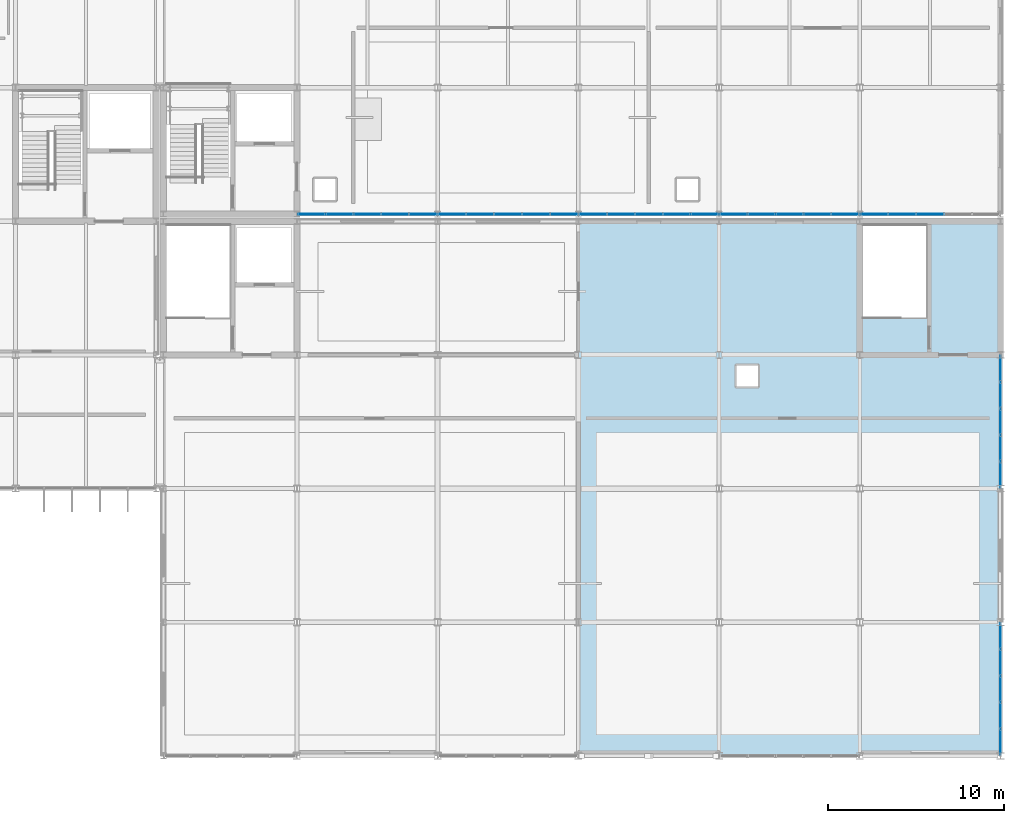
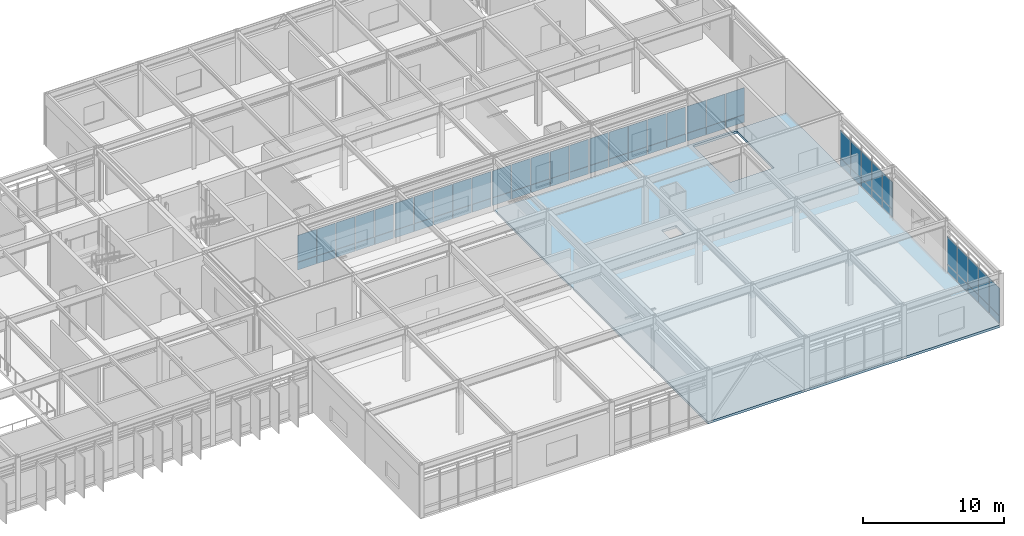
# One storey, part 74 of 104: 66 plates, 1 slab, 7 elements without a shape of their own.
"""IFC4 building model written with IfcOpenShell, lengths in metres."""

from ifc_helpers import new_model, si_unit, direction, frame, origin, origin_2d, place, context, subcontext, project, spatial, polyline, rectangle, outline, extrude, material, layer, layer_set, type_object, element, aggregate, save


model = new_model("IFC4")

# Units and contexts
model_context = context("Model", 3, precision=1e-05, world=origin(), true_north=direction((0.0, 1.0)))
body_context = subcontext(model_context, "Body", "Model", "MODEL_VIEW")
ifc_project = project(units=[si_unit("LENGTHUNIT", "METRE"), si_unit("AREAUNIT", "SQUARE_METRE"), si_unit("VOLUMEUNIT", "CUBIC_METRE"), si_unit("PLANEANGLEUNIT", "RADIAN"), si_unit("MASSUNIT", "GRAM", prefix="KILO")], contexts=[model_context])

# Site, building, storey
site_placement = place(None, origin())
site = spatial("IfcSite", under=ifc_project, at=site_placement, CompositionType="ELEMENT")
building_placement = place(site_placement, origin())
building = spatial("IfcBuilding", under=site, at=building_placement, Name="Zulena Civic Courthouse", CompositionType="ELEMENT")
storey_placement = place(building_placement, frame((0.0, 0.0, 15.60009765625)))
storey = spatial("IfcBuildingStorey", under=building, at=storey_placement, Name="L03", CompositionType="ELEMENT", Elevation=15.60009765625)

# Curtain wall, plates
ifc_material_1 = material(Name="Double-silver low-E laminated solar-control glass", Category="glass")
curtain_wall_type_1 = type_object("IfcCurtainWallType", Name="CW_7528x3690", PredefinedType="USERDEFINED", material=ifc_material_1)
curtain_wall_1_placement = place(storey_placement, origin())
curtain_wall_1 = element("IfcCurtainWall", 1, at=curtain_wall_1_placement, inside=storey, type_object=curtain_wall_type_1, Name="cw:V1:L03:2:1", ObjectType="UNITISED CURTAIN WALL", PredefinedType="USERDEFINED")
ifc_material_2 = material(Name="Ceramic-fritted insulated spandrel glass", Category="glass")
ifc_layer_1 = layer(ifc_material_2, 0.0458984375)
ifc_layer_set_1 = layer_set([ifc_layer_1], Name="Ceramic-fritted insulated spandrel glass")
plate_type_1 = type_object("IfcPlateType", Name="CWPanel_Spandrel_46", PredefinedType="CURTAIN_PANEL", material=ifc_layer_set_1)
plate_1_placement = place(storey_placement, frame((172.0, 22.01123046875, 0.06982421875), z_axis=(0.0, 0.0, 1.0), x_axis=(0.0, -1.0, 0.0)))
plate_1 = element("IfcPlate", 2, at=plate_1_placement, type_object=plate_type_1, Name="cw:V1:L03:2:1:panS:0", PredefinedType="CURTAIN_PANEL", context=body_context, shape_type="SweptSolid", body=[
    extrude(rectangle(XDim=1.4560546875, YDim=0.0458984375, at=origin_2d()), origin(), (0.0, 0.0, 1.0), 0.669921875),
])
plate_2_placement = place(storey_placement, frame((172.0, 20.505615234375, 0.06982421875), z_axis=(0.0, 0.0, 1.0), x_axis=(0.0, -1.0, 0.0)))
plate_2 = element("IfcPlate", 3, at=plate_2_placement, type_object=plate_type_1, Name="cw:V1:L03:2:1:panS:1", PredefinedType="CURTAIN_PANEL", context=body_context, shape_type="SweptSolid", body=[
    extrude(rectangle(XDim=1.4560546875, YDim=0.0458984375, at=origin_2d()), origin(), (0.0, 0.0, 1.0), 0.669921875),
])
plate_3_placement = place(storey_placement, frame((172.0, 19.0, 0.06982421875), z_axis=(0.0, 0.0, 1.0), x_axis=(0.0, -1.0, 0.0)))
plate_3 = element("IfcPlate", 4, at=plate_3_placement, type_object=plate_type_1, Name="cw:V1:L03:2:1:panS:2", PredefinedType="CURTAIN_PANEL", context=body_context, shape_type="SweptSolid", body=[
    extrude(rectangle(XDim=1.4560546875, YDim=0.0458984375, at=origin_2d()), origin(), (0.0, 0.0, 1.0), 0.669921875),
])
plate_4_placement = place(storey_placement, frame((172.0, 17.494384765625, 0.06982421875), z_axis=(0.0, 0.0, 1.0), x_axis=(0.0, -1.0, 0.0)))
plate_4 = element("IfcPlate", 5, at=plate_4_placement, type_object=plate_type_1, Name="cw:V1:L03:2:1:panS:3", PredefinedType="CURTAIN_PANEL", context=body_context, shape_type="SweptSolid", body=[
    extrude(rectangle(XDim=1.4560546875, YDim=0.0458984375, at=origin_2d()), origin(), (0.0, 0.0, 1.0), 0.669921875),
])
plate_5_placement = place(storey_placement, frame((172.0, 15.98876953125, 0.06982421875), z_axis=(0.0, 0.0, 1.0), x_axis=(0.0, -1.0, 0.0)))
plate_5 = element("IfcPlate", 6, at=plate_5_placement, type_object=plate_type_1, Name="cw:V1:L03:2:1:panS:4", PredefinedType="CURTAIN_PANEL", context=body_context, shape_type="SweptSolid", body=[
    extrude(rectangle(XDim=1.4560546875, YDim=0.0458984375, at=origin_2d()), origin(), (0.0, 0.0, 1.0), 0.669921875),
])

curtain_wall_2_placement = place(storey_placement, origin())
curtain_wall_2 = element("IfcCurtainWall", 7, at=curtain_wall_2_placement, inside=storey, type_object=curtain_wall_type_1, Name="cw:V1:L03:2:3", ObjectType="UNITISED CURTAIN WALL", PredefinedType="USERDEFINED")
plate_6_placement = place(storey_placement, frame((172.0, 6.811279296875, 0.06982421875), z_axis=(0.0, 0.0, 1.0), x_axis=(0.0, -1.0, 0.0)))
plate_6 = element("IfcPlate", 8, at=plate_6_placement, type_object=plate_type_1, Name="cw:V1:L03:2:3:panS:0", PredefinedType="CURTAIN_PANEL", context=body_context, shape_type="SweptSolid", body=[
    extrude(rectangle(XDim=1.4560546875, YDim=0.0458984375, at=origin_2d()), origin(), (0.0, 0.0, 1.0), 0.669921875),
])
plate_7_placement = place(storey_placement, frame((172.0, 5.3056640625, 0.06982421875), z_axis=(0.0, 0.0, 1.0), x_axis=(0.0, -1.0, 0.0)))
plate_7 = element("IfcPlate", 9, at=plate_7_placement, type_object=plate_type_1, Name="cw:V1:L03:2:3:panS:1", PredefinedType="CURTAIN_PANEL", context=body_context, shape_type="SweptSolid", body=[
    extrude(rectangle(XDim=1.4560546875, YDim=0.0458984375, at=origin_2d()), origin(), (0.0, 0.0, 1.0), 0.669921875),
])
plate_8_placement = place(storey_placement, frame((172.0, 3.800048828125, 0.06982421875), z_axis=(0.0, 0.0, 1.0), x_axis=(0.0, -1.0, 0.0)))
plate_8 = element("IfcPlate", 10, at=plate_8_placement, type_object=plate_type_1, Name="cw:V1:L03:2:3:panS:2", PredefinedType="CURTAIN_PANEL", context=body_context, shape_type="SweptSolid", body=[
    extrude(rectangle(XDim=1.4560546875, YDim=0.0458984375, at=origin_2d()), origin(), (0.0, 0.0, 1.0), 0.669921875),
])
plate_9_placement = place(storey_placement, frame((172.0, 2.29443359375, 0.06982421875), z_axis=(0.0, 0.0, 1.0), x_axis=(0.0, -1.0, 0.0)))
plate_9 = element("IfcPlate", 11, at=plate_9_placement, type_object=plate_type_1, Name="cw:V1:L03:2:3:panS:3", PredefinedType="CURTAIN_PANEL", context=body_context, shape_type="SweptSolid", body=[
    extrude(rectangle(XDim=1.4560546875, YDim=0.0458984375, at=origin_2d()), origin(), (0.0, 0.0, 1.0), 0.669921875),
])
plate_10_placement = place(storey_placement, frame((172.0, 0.788818359375, 0.06982421875), z_axis=(0.0, 0.0, 1.0), x_axis=(0.0, -1.0, 0.0)))
plate_10 = element("IfcPlate", 12, at=plate_10_placement, type_object=plate_type_1, Name="cw:V1:L03:2:3:panS:4", PredefinedType="CURTAIN_PANEL", context=body_context, shape_type="SweptSolid", body=[
    extrude(rectangle(XDim=1.4560546875, YDim=0.0458984375, at=origin_2d()), origin(), (0.0, 0.0, 1.0), 0.669921875),
])

curtain_wall_type_2 = type_object("IfcCurtainWallType", Name="CW_7928x3635", PredefinedType="USERDEFINED", material=ifc_material_1)
curtain_wall_3_placement = place(storey_placement, origin())
curtain_wall_3 = element("IfcCurtainWall", 13, at=curtain_wall_3_placement, inside=storey, type_object=curtain_wall_type_2, Name="cw:V3:L03:3:0", ObjectType="UNITISED CURTAIN WALL", PredefinedType="USERDEFINED")
plate_11_placement = place(storey_placement, frame((168.0, 30.800048828125, 0.06982421875), z_axis=(0.0, 0.0, 1.0), x_axis=(-1.0, 0.0, 0.0)))
plate_11 = element("IfcPlate", 14, at=plate_11_placement, type_object=plate_type_1, Name="cw:V3:L03:3:0:panS:2", PredefinedType="CURTAIN_PANEL", context=body_context, shape_type="SweptSolid", body=[
    extrude(rectangle(XDim=1.535888671875, YDim=0.0458984375, at=origin_2d()), origin(), (0.0, 0.0, 1.0), 0.669921875),
])
plate_12_placement = place(storey_placement, frame((166.414306640625, 30.800048828125, 0.06982421875), z_axis=(0.0, 0.0, 1.0), x_axis=(-1.0, 0.0, 0.0)))
plate_12 = element("IfcPlate", 15, at=plate_12_placement, type_object=plate_type_1, Name="cw:V3:L03:3:0:panS:3", PredefinedType="CURTAIN_PANEL", context=body_context, shape_type="SweptSolid", body=[
    extrude(rectangle(XDim=1.535888671875, YDim=0.0458984375, at=origin_2d()), origin(), (0.0, 0.0, 1.0), 0.669921875),
])
plate_13_placement = place(storey_placement, frame((164.828857421875, 30.800048828125, 0.06982421875), z_axis=(0.0, 0.0, 1.0), x_axis=(-1.0, 0.0, 0.0)))
plate_13 = element("IfcPlate", 16, at=plate_13_placement, type_object=plate_type_1, Name="cw:V3:L03:3:0:panS:4", PredefinedType="CURTAIN_PANEL", context=body_context, shape_type="SweptSolid", body=[
    extrude(rectangle(XDim=1.535888671875, YDim=0.0458984375, at=origin_2d()), origin(), (0.0, 0.0, 1.0), 0.669921875),
])

curtain_wall_4_placement = place(storey_placement, origin())
curtain_wall_4 = element("IfcCurtainWall", 17, at=curtain_wall_4_placement, inside=storey, type_object=curtain_wall_type_2, Name="cw:V3:L03:3:1", ObjectType="UNITISED CURTAIN WALL", PredefinedType="USERDEFINED")
plate_14_placement = place(storey_placement, frame((163.171142578125, 30.800048828125, 0.06982421875), z_axis=(0.0, 0.0, 1.0), x_axis=(-1.0, 0.0, 0.0)))
plate_14 = element("IfcPlate", 18, at=plate_14_placement, type_object=plate_type_1, Name="cw:V3:L03:3:1:panS:0", PredefinedType="CURTAIN_PANEL", context=body_context, shape_type="SweptSolid", body=[
    extrude(rectangle(XDim=1.535888671875, YDim=0.0458984375, at=origin_2d()), origin(), (0.0, 0.0, 1.0), 0.669921875),
])
plate_15_placement = place(storey_placement, frame((161.585693359375, 30.800048828125, 0.06982421875), z_axis=(0.0, 0.0, 1.0), x_axis=(-1.0, 0.0, 0.0)))
plate_15 = element("IfcPlate", 19, at=plate_15_placement, type_object=plate_type_1, Name="cw:V3:L03:3:1:panS:1", PredefinedType="CURTAIN_PANEL", context=body_context, shape_type="SweptSolid", body=[
    extrude(rectangle(XDim=1.535888671875, YDim=0.0458984375, at=origin_2d()), origin(), (0.0, 0.0, 1.0), 0.669921875),
])
plate_16_placement = place(storey_placement, frame((160.0, 30.800048828125, 0.06982421875), z_axis=(0.0, 0.0, 1.0), x_axis=(-1.0, 0.0, 0.0)))
plate_16 = element("IfcPlate", 20, at=plate_16_placement, type_object=plate_type_1, Name="cw:V3:L03:3:1:panS:2", PredefinedType="CURTAIN_PANEL", context=body_context, shape_type="SweptSolid", body=[
    extrude(rectangle(XDim=1.535888671875, YDim=0.0458984375, at=origin_2d()), origin(), (0.0, 0.0, 1.0), 0.669921875),
])
plate_17_placement = place(storey_placement, frame((158.414306640625, 30.800048828125, 0.06982421875), z_axis=(0.0, 0.0, 1.0), x_axis=(-1.0, 0.0, 0.0)))
plate_17 = element("IfcPlate", 21, at=plate_17_placement, type_object=plate_type_1, Name="cw:V3:L03:3:1:panS:3", PredefinedType="CURTAIN_PANEL", context=body_context, shape_type="SweptSolid", body=[
    extrude(rectangle(XDim=1.535888671875, YDim=0.0458984375, at=origin_2d()), origin(), (0.0, 0.0, 1.0), 0.669921875),
])
plate_18_placement = place(storey_placement, frame((156.828857421875, 30.800048828125, 0.06982421875), z_axis=(0.0, 0.0, 1.0), x_axis=(-1.0, 0.0, 0.0)))
plate_18 = element("IfcPlate", 22, at=plate_18_placement, type_object=plate_type_1, Name="cw:V3:L03:3:1:panS:4", PredefinedType="CURTAIN_PANEL", context=body_context, shape_type="SweptSolid", body=[
    extrude(rectangle(XDim=1.535888671875, YDim=0.0458984375, at=origin_2d()), origin(), (0.0, 0.0, 1.0), 0.669921875),
])

curtain_wall_5_placement = place(storey_placement, origin())
curtain_wall_5 = element("IfcCurtainWall", 23, at=curtain_wall_5_placement, inside=storey, type_object=curtain_wall_type_2, Name="cw:V3:L03:3:2", ObjectType="UNITISED CURTAIN WALL", PredefinedType="USERDEFINED")
plate_19_placement = place(storey_placement, frame((155.171142578125, 30.800048828125, 0.06982421875), z_axis=(0.0, 0.0, 1.0), x_axis=(-1.0, 0.0, 0.0)))
plate_19 = element("IfcPlate", 24, at=plate_19_placement, type_object=plate_type_1, Name="cw:V3:L03:3:2:panS:0", PredefinedType="CURTAIN_PANEL", context=body_context, shape_type="SweptSolid", body=[
    extrude(rectangle(XDim=1.535888671875, YDim=0.0458984375, at=origin_2d()), origin(), (0.0, 0.0, 1.0), 0.669921875),
])
plate_20_placement = place(storey_placement, frame((153.585693359375, 30.800048828125, 0.06982421875), z_axis=(0.0, 0.0, 1.0), x_axis=(-1.0, 0.0, 0.0)))
plate_20 = element("IfcPlate", 25, at=plate_20_placement, type_object=plate_type_1, Name="cw:V3:L03:3:2:panS:1", PredefinedType="CURTAIN_PANEL", context=body_context, shape_type="SweptSolid", body=[
    extrude(rectangle(XDim=1.535888671875, YDim=0.0458984375, at=origin_2d()), origin(), (0.0, 0.0, 1.0), 0.669921875),
])
plate_21_placement = place(storey_placement, frame((152.0, 30.800048828125, 0.06982421875), z_axis=(0.0, 0.0, 1.0), x_axis=(-1.0, 0.0, 0.0)))
plate_21 = element("IfcPlate", 26, at=plate_21_placement, type_object=plate_type_1, Name="cw:V3:L03:3:2:panS:2", PredefinedType="CURTAIN_PANEL", context=body_context, shape_type="SweptSolid", body=[
    extrude(rectangle(XDim=1.535888671875, YDim=0.0458984375, at=origin_2d()), origin(), (0.0, 0.0, 1.0), 0.669921875),
])
plate_22_placement = place(storey_placement, frame((150.414306640625, 30.800048828125, 0.06982421875), z_axis=(0.0, 0.0, 1.0), x_axis=(-1.0, 0.0, 0.0)))
plate_22 = element("IfcPlate", 27, at=plate_22_placement, type_object=plate_type_1, Name="cw:V3:L03:3:2:panS:3", PredefinedType="CURTAIN_PANEL", context=body_context, shape_type="SweptSolid", body=[
    extrude(rectangle(XDim=1.535888671875, YDim=0.0458984375, at=origin_2d()), origin(), (0.0, 0.0, 1.0), 0.669921875),
])
plate_23_placement = place(storey_placement, frame((148.828857421875, 30.800048828125, 0.06982421875), z_axis=(0.0, 0.0, 1.0), x_axis=(-1.0, 0.0, 0.0)))
plate_23 = element("IfcPlate", 28, at=plate_23_placement, type_object=plate_type_1, Name="cw:V3:L03:3:2:panS:4", PredefinedType="CURTAIN_PANEL", context=body_context, shape_type="SweptSolid", body=[
    extrude(rectangle(XDim=1.535888671875, YDim=0.0458984375, at=origin_2d()), origin(), (0.0, 0.0, 1.0), 0.669921875),
])

curtain_wall_6_placement = place(storey_placement, origin())
curtain_wall_6 = element("IfcCurtainWall", 29, at=curtain_wall_6_placement, inside=storey, type_object=curtain_wall_type_2, Name="cw:V3:L03:3:3", ObjectType="UNITISED CURTAIN WALL", PredefinedType="USERDEFINED")
plate_24_placement = place(storey_placement, frame((147.171142578125, 30.800048828125, 0.06982421875), z_axis=(0.0, 0.0, 1.0), x_axis=(-1.0, 0.0, 0.0)))
plate_24 = element("IfcPlate", 30, at=plate_24_placement, type_object=plate_type_1, Name="cw:V3:L03:3:3:panS:0", PredefinedType="CURTAIN_PANEL", context=body_context, shape_type="SweptSolid", body=[
    extrude(rectangle(XDim=1.535888671875, YDim=0.0458984375, at=origin_2d()), origin(), (0.0, 0.0, 1.0), 0.669921875),
])
plate_25_placement = place(storey_placement, frame((145.585693359375, 30.800048828125, 0.06982421875), z_axis=(0.0, 0.0, 1.0), x_axis=(-1.0, 0.0, 0.0)))
plate_25 = element("IfcPlate", 31, at=plate_25_placement, type_object=plate_type_1, Name="cw:V3:L03:3:3:panS:1", PredefinedType="CURTAIN_PANEL", context=body_context, shape_type="SweptSolid", body=[
    extrude(rectangle(XDim=1.535888671875, YDim=0.0458984375, at=origin_2d()), origin(), (0.0, 0.0, 1.0), 0.669921875),
])
plate_26_placement = place(storey_placement, frame((144.0, 30.800048828125, 0.06982421875), z_axis=(0.0, 0.0, 1.0), x_axis=(-1.0, 0.0, 0.0)))
plate_26 = element("IfcPlate", 32, at=plate_26_placement, type_object=plate_type_1, Name="cw:V3:L03:3:3:panS:2", PredefinedType="CURTAIN_PANEL", context=body_context, shape_type="SweptSolid", body=[
    extrude(rectangle(XDim=1.535888671875, YDim=0.0458984375, at=origin_2d()), origin(), (0.0, 0.0, 1.0), 0.669921875),
])
plate_27_placement = place(storey_placement, frame((142.414306640625, 30.800048828125, 0.06982421875), z_axis=(0.0, 0.0, 1.0), x_axis=(-1.0, 0.0, 0.0)))
plate_27 = element("IfcPlate", 33, at=plate_27_placement, type_object=plate_type_1, Name="cw:V3:L03:3:3:panS:3", PredefinedType="CURTAIN_PANEL", context=body_context, shape_type="SweptSolid", body=[
    extrude(rectangle(XDim=1.535888671875, YDim=0.0458984375, at=origin_2d()), origin(), (0.0, 0.0, 1.0), 0.669921875),
])
plate_28_placement = place(storey_placement, frame((140.828857421875, 30.800048828125, 0.06982421875), z_axis=(0.0, 0.0, 1.0), x_axis=(-1.0, 0.0, 0.0)))
plate_28 = element("IfcPlate", 34, at=plate_28_placement, type_object=plate_type_1, Name="cw:V3:L03:3:3:panS:4", PredefinedType="CURTAIN_PANEL", context=body_context, shape_type="SweptSolid", body=[
    extrude(rectangle(XDim=1.535888671875, YDim=0.0458984375, at=origin_2d()), origin(), (0.0, 0.0, 1.0), 0.669921875),
])

curtain_wall_7_placement = place(storey_placement, origin())
curtain_wall_7 = element("IfcCurtainWall", 35, at=curtain_wall_7_placement, inside=storey, type_object=curtain_wall_type_2, Name="cw:V3:L03:3:4", ObjectType="UNITISED CURTAIN WALL", PredefinedType="USERDEFINED")
plate_29_placement = place(storey_placement, frame((139.171142578125, 30.800048828125, 0.06982421875), z_axis=(0.0, 0.0, 1.0), x_axis=(-1.0, 0.0, 0.0)))
plate_29 = element("IfcPlate", 36, at=plate_29_placement, type_object=plate_type_1, Name="cw:V3:L03:3:4:panS:0", PredefinedType="CURTAIN_PANEL", context=body_context, shape_type="SweptSolid", body=[
    extrude(rectangle(XDim=1.535888671875, YDim=0.0458984375, at=origin_2d()), origin(), (0.0, 0.0, 1.0), 0.669921875),
])
plate_30_placement = place(storey_placement, frame((137.585693359375, 30.800048828125, 0.06982421875), z_axis=(0.0, 0.0, 1.0), x_axis=(-1.0, 0.0, 0.0)))
plate_30 = element("IfcPlate", 37, at=plate_30_placement, type_object=plate_type_1, Name="cw:V3:L03:3:4:panS:1", PredefinedType="CURTAIN_PANEL", context=body_context, shape_type="SweptSolid", body=[
    extrude(rectangle(XDim=1.535888671875, YDim=0.0458984375, at=origin_2d()), origin(), (0.0, 0.0, 1.0), 0.669921875),
])
plate_31_placement = place(storey_placement, frame((136.0, 30.800048828125, 0.06982421875), z_axis=(0.0, 0.0, 1.0), x_axis=(-1.0, 0.0, 0.0)))
plate_31 = element("IfcPlate", 38, at=plate_31_placement, type_object=plate_type_1, Name="cw:V3:L03:3:4:panS:2", PredefinedType="CURTAIN_PANEL", context=body_context, shape_type="SweptSolid", body=[
    extrude(rectangle(XDim=1.535888671875, YDim=0.0458984375, at=origin_2d()), origin(), (0.0, 0.0, 1.0), 0.669921875),
])
plate_32_placement = place(storey_placement, frame((134.414306640625, 30.800048828125, 0.06982421875), z_axis=(0.0, 0.0, 1.0), x_axis=(-1.0, 0.0, 0.0)))
plate_32 = element("IfcPlate", 39, at=plate_32_placement, type_object=plate_type_1, Name="cw:V3:L03:3:4:panS:3", PredefinedType="CURTAIN_PANEL", context=body_context, shape_type="SweptSolid", body=[
    extrude(rectangle(XDim=1.535888671875, YDim=0.0458984375, at=origin_2d()), origin(), (0.0, 0.0, 1.0), 0.669921875),
])
plate_33_placement = place(storey_placement, frame((132.828857421875, 30.800048828125, 0.06982421875), z_axis=(0.0, 0.0, 1.0), x_axis=(-1.0, 0.0, 0.0)))
plate_33 = element("IfcPlate", 40, at=plate_33_placement, type_object=plate_type_1, Name="cw:V3:L03:3:4:panS:4", PredefinedType="CURTAIN_PANEL", context=body_context, shape_type="SweptSolid", body=[
    extrude(rectangle(XDim=1.535888671875, YDim=0.0458984375, at=origin_2d()), origin(), (0.0, 0.0, 1.0), 0.669921875),
])

# Plate
ifc_layer_2 = layer(ifc_material_1, 0.035888671875)
ifc_layer_set_2 = layer_set([ifc_layer_2], Name="Double-silver low-E laminated solar-control glass")
plate_type_2 = type_object("IfcPlateType", Name="CWPanel_Vision_36", PredefinedType="CURTAIN_PANEL", material=ifc_layer_set_2)
plate_34_placement = place(storey_placement, frame((172.0, 22.01123046875, 0.759765625), z_axis=(0.0, 0.0, 1.0), x_axis=(0.0, -1.0, 0.0)))
plate_34 = element("IfcPlate", 41, at=plate_34_placement, type_object=plate_type_2, Name="cw:V1:L03:2:1:panV:0", PredefinedType="CURTAIN_PANEL", context=body_context, shape_type="SweptSolid", body=[
    extrude(rectangle(XDim=1.4560546875, YDim=0.035888671875, at=origin_2d()), origin(), (0.0, 0.0, 1.0), 2.3701171875),
])

plate_35_placement = place(storey_placement, frame((172.0, 20.505615234375, 0.759765625), z_axis=(0.0, 0.0, 1.0), x_axis=(0.0, -1.0, 0.0)))
plate_35 = element("IfcPlate", 42, at=plate_35_placement, type_object=plate_type_2, Name="cw:V1:L03:2:1:panV:1", PredefinedType="CURTAIN_PANEL", context=body_context, shape_type="SweptSolid", body=[
    extrude(rectangle(XDim=1.4560546875, YDim=0.035888671875, at=origin_2d()), origin(), (0.0, 0.0, 1.0), 2.3701171875),
])

plate_36_placement = place(storey_placement, frame((172.0, 19.0, 0.759765625), z_axis=(0.0, 0.0, 1.0), x_axis=(0.0, -1.0, 0.0)))
plate_36 = element("IfcPlate", 43, at=plate_36_placement, type_object=plate_type_2, Name="cw:V1:L03:2:1:panV:2", PredefinedType="CURTAIN_PANEL", context=body_context, shape_type="SweptSolid", body=[
    extrude(rectangle(XDim=1.4560546875, YDim=0.035888671875, at=origin_2d()), origin(), (0.0, 0.0, 1.0), 2.3701171875),
])

plate_37_placement = place(storey_placement, frame((172.0, 17.494384765625, 0.759765625), z_axis=(0.0, 0.0, 1.0), x_axis=(0.0, -1.0, 0.0)))
plate_37 = element("IfcPlate", 44, at=plate_37_placement, type_object=plate_type_2, Name="cw:V1:L03:2:1:panV:3", PredefinedType="CURTAIN_PANEL", context=body_context, shape_type="SweptSolid", body=[
    extrude(rectangle(XDim=1.4560546875, YDim=0.035888671875, at=origin_2d()), origin(), (0.0, 0.0, 1.0), 2.3701171875),
])

plate_38_placement = place(storey_placement, frame((172.0, 15.98876953125, 0.759765625), z_axis=(0.0, 0.0, 1.0), x_axis=(0.0, -1.0, 0.0)))
plate_38 = element("IfcPlate", 45, at=plate_38_placement, type_object=plate_type_2, Name="cw:V1:L03:2:1:panV:4", PredefinedType="CURTAIN_PANEL", context=body_context, shape_type="SweptSolid", body=[
    extrude(rectangle(XDim=1.4560546875, YDim=0.035888671875, at=origin_2d()), origin(), (0.0, 0.0, 1.0), 2.3701171875),
])

aggregate(curtain_wall_1, [plate_34, plate_1, plate_35, plate_2, plate_36, plate_3, plate_37, plate_4, plate_38, plate_5])

plate_39_placement = place(storey_placement, frame((172.0, 6.811279296875, 0.759765625), z_axis=(0.0, 0.0, 1.0), x_axis=(0.0, -1.0, 0.0)))
plate_39 = element("IfcPlate", 46, at=plate_39_placement, type_object=plate_type_2, Name="cw:V1:L03:2:3:panV:0", PredefinedType="CURTAIN_PANEL", context=body_context, shape_type="SweptSolid", body=[
    extrude(rectangle(XDim=1.4560546875, YDim=0.035888671875, at=origin_2d()), origin(), (0.0, 0.0, 1.0), 2.3701171875),
])

plate_40_placement = place(storey_placement, frame((172.0, 5.3056640625, 0.759765625), z_axis=(0.0, 0.0, 1.0), x_axis=(0.0, -1.0, 0.0)))
plate_40 = element("IfcPlate", 47, at=plate_40_placement, type_object=plate_type_2, Name="cw:V1:L03:2:3:panV:1", PredefinedType="CURTAIN_PANEL", context=body_context, shape_type="SweptSolid", body=[
    extrude(rectangle(XDim=1.4560546875, YDim=0.035888671875, at=origin_2d()), origin(), (0.0, 0.0, 1.0), 2.3701171875),
])

plate_41_placement = place(storey_placement, frame((172.0, 3.800048828125, 0.759765625), z_axis=(0.0, 0.0, 1.0), x_axis=(0.0, -1.0, 0.0)))
plate_41 = element("IfcPlate", 48, at=plate_41_placement, type_object=plate_type_2, Name="cw:V1:L03:2:3:panV:2", PredefinedType="CURTAIN_PANEL", context=body_context, shape_type="SweptSolid", body=[
    extrude(rectangle(XDim=1.4560546875, YDim=0.035888671875, at=origin_2d()), origin(), (0.0, 0.0, 1.0), 2.3701171875),
])

plate_42_placement = place(storey_placement, frame((172.0, 2.29443359375, 0.759765625), z_axis=(0.0, 0.0, 1.0), x_axis=(0.0, -1.0, 0.0)))
plate_42 = element("IfcPlate", 49, at=plate_42_placement, type_object=plate_type_2, Name="cw:V1:L03:2:3:panV:3", PredefinedType="CURTAIN_PANEL", context=body_context, shape_type="SweptSolid", body=[
    extrude(rectangle(XDim=1.4560546875, YDim=0.035888671875, at=origin_2d()), origin(), (0.0, 0.0, 1.0), 2.3701171875),
])

plate_43_placement = place(storey_placement, frame((172.0, 0.788818359375, 0.759765625), z_axis=(0.0, 0.0, 1.0), x_axis=(0.0, -1.0, 0.0)))
plate_43 = element("IfcPlate", 50, at=plate_43_placement, type_object=plate_type_2, Name="cw:V1:L03:2:3:panV:4", PredefinedType="CURTAIN_PANEL", context=body_context, shape_type="SweptSolid", body=[
    extrude(rectangle(XDim=1.4560546875, YDim=0.035888671875, at=origin_2d()), origin(), (0.0, 0.0, 1.0), 2.3701171875),
])

aggregate(curtain_wall_2, [plate_39, plate_6, plate_40, plate_7, plate_41, plate_8, plate_42, plate_9, plate_43, plate_10])

plate_44_placement = place(storey_placement, frame((168.0, 30.800048828125, 0.760009765625), z_axis=(0.0, 0.0, 1.0), x_axis=(-1.0, 0.0, 0.0)))
plate_44 = element("IfcPlate", 51, at=plate_44_placement, type_object=plate_type_2, Name="cw:V3:L03:3:0:panV:2", PredefinedType="CURTAIN_PANEL", context=body_context, shape_type="SweptSolid", body=[
    extrude(rectangle(XDim=1.535888671875, YDim=0.035888671875, at=origin_2d()), origin(), (0.0, 0.0, 1.0), 2.31494140625),
])

plate_45_placement = place(storey_placement, frame((166.414306640625, 30.800048828125, 0.760009765625), z_axis=(0.0, 0.0, 1.0), x_axis=(-1.0, 0.0, 0.0)))
plate_45 = element("IfcPlate", 52, at=plate_45_placement, type_object=plate_type_2, Name="cw:V3:L03:3:0:panV:3", PredefinedType="CURTAIN_PANEL", context=body_context, shape_type="SweptSolid", body=[
    extrude(rectangle(XDim=1.535888671875, YDim=0.035888671875, at=origin_2d()), origin(), (0.0, 0.0, 1.0), 2.31494140625),
])

plate_46_placement = place(storey_placement, frame((164.828857421875, 30.800048828125, 0.760009765625), z_axis=(0.0, 0.0, 1.0), x_axis=(-1.0, 0.0, 0.0)))
plate_46 = element("IfcPlate", 53, at=plate_46_placement, type_object=plate_type_2, Name="cw:V3:L03:3:0:panV:4", PredefinedType="CURTAIN_PANEL", context=body_context, shape_type="SweptSolid", body=[
    extrude(rectangle(XDim=1.535888671875, YDim=0.035888671875, at=origin_2d()), origin(), (0.0, 0.0, 1.0), 2.31494140625),
])

aggregate(curtain_wall_3, [plate_44, plate_11, plate_45, plate_12, plate_46, plate_13])

plate_47_placement = place(storey_placement, frame((163.171142578125, 30.800048828125, 0.760009765625), z_axis=(0.0, 0.0, 1.0), x_axis=(-1.0, 0.0, 0.0)))
plate_47 = element("IfcPlate", 54, at=plate_47_placement, type_object=plate_type_2, Name="cw:V3:L03:3:1:panV:0", PredefinedType="CURTAIN_PANEL", context=body_context, shape_type="SweptSolid", body=[
    extrude(rectangle(XDim=1.535888671875, YDim=0.035888671875, at=origin_2d()), origin(), (0.0, 0.0, 1.0), 2.31494140625),
])

plate_48_placement = place(storey_placement, frame((161.585693359375, 30.800048828125, 0.760009765625), z_axis=(0.0, 0.0, 1.0), x_axis=(-1.0, 0.0, 0.0)))
plate_48 = element("IfcPlate", 55, at=plate_48_placement, type_object=plate_type_2, Name="cw:V3:L03:3:1:panV:1", PredefinedType="CURTAIN_PANEL", context=body_context, shape_type="SweptSolid", body=[
    extrude(rectangle(XDim=1.535888671875, YDim=0.035888671875, at=origin_2d()), origin(), (0.0, 0.0, 1.0), 2.31494140625),
])

plate_49_placement = place(storey_placement, frame((160.0, 30.800048828125, 0.760009765625), z_axis=(0.0, 0.0, 1.0), x_axis=(-1.0, 0.0, 0.0)))
plate_49 = element("IfcPlate", 56, at=plate_49_placement, type_object=plate_type_2, Name="cw:V3:L03:3:1:panV:2", PredefinedType="CURTAIN_PANEL", context=body_context, shape_type="SweptSolid", body=[
    extrude(rectangle(XDim=1.535888671875, YDim=0.035888671875, at=origin_2d()), origin(), (0.0, 0.0, 1.0), 2.31494140625),
])

plate_50_placement = place(storey_placement, frame((158.414306640625, 30.800048828125, 0.760009765625), z_axis=(0.0, 0.0, 1.0), x_axis=(-1.0, 0.0, 0.0)))
plate_50 = element("IfcPlate", 57, at=plate_50_placement, type_object=plate_type_2, Name="cw:V3:L03:3:1:panV:3", PredefinedType="CURTAIN_PANEL", context=body_context, shape_type="SweptSolid", body=[
    extrude(rectangle(XDim=1.535888671875, YDim=0.035888671875, at=origin_2d()), origin(), (0.0, 0.0, 1.0), 2.31494140625),
])

plate_51_placement = place(storey_placement, frame((156.828857421875, 30.800048828125, 0.760009765625), z_axis=(0.0, 0.0, 1.0), x_axis=(-1.0, 0.0, 0.0)))
plate_51 = element("IfcPlate", 58, at=plate_51_placement, type_object=plate_type_2, Name="cw:V3:L03:3:1:panV:4", PredefinedType="CURTAIN_PANEL", context=body_context, shape_type="SweptSolid", body=[
    extrude(rectangle(XDim=1.535888671875, YDim=0.035888671875, at=origin_2d()), origin(), (0.0, 0.0, 1.0), 2.31494140625),
])

aggregate(curtain_wall_4, [plate_47, plate_14, plate_48, plate_15, plate_49, plate_16, plate_50, plate_17, plate_51, plate_18])

plate_52_placement = place(storey_placement, frame((155.171142578125, 30.800048828125, 0.760009765625), z_axis=(0.0, 0.0, 1.0), x_axis=(-1.0, 0.0, 0.0)))
plate_52 = element("IfcPlate", 59, at=plate_52_placement, type_object=plate_type_2, Name="cw:V3:L03:3:2:panV:0", PredefinedType="CURTAIN_PANEL", context=body_context, shape_type="SweptSolid", body=[
    extrude(rectangle(XDim=1.535888671875, YDim=0.035888671875, at=origin_2d()), origin(), (0.0, 0.0, 1.0), 2.31494140625),
])

plate_53_placement = place(storey_placement, frame((153.585693359375, 30.800048828125, 0.760009765625), z_axis=(0.0, 0.0, 1.0), x_axis=(-1.0, 0.0, 0.0)))
plate_53 = element("IfcPlate", 60, at=plate_53_placement, type_object=plate_type_2, Name="cw:V3:L03:3:2:panV:1", PredefinedType="CURTAIN_PANEL", context=body_context, shape_type="SweptSolid", body=[
    extrude(rectangle(XDim=1.535888671875, YDim=0.035888671875, at=origin_2d()), origin(), (0.0, 0.0, 1.0), 2.31494140625),
])

plate_54_placement = place(storey_placement, frame((152.0, 30.800048828125, 0.760009765625), z_axis=(0.0, 0.0, 1.0), x_axis=(-1.0, 0.0, 0.0)))
plate_54 = element("IfcPlate", 61, at=plate_54_placement, type_object=plate_type_2, Name="cw:V3:L03:3:2:panV:2", PredefinedType="CURTAIN_PANEL", context=body_context, shape_type="SweptSolid", body=[
    extrude(rectangle(XDim=1.535888671875, YDim=0.035888671875, at=origin_2d()), origin(), (0.0, 0.0, 1.0), 2.31494140625),
])

plate_55_placement = place(storey_placement, frame((150.414306640625, 30.800048828125, 0.760009765625), z_axis=(0.0, 0.0, 1.0), x_axis=(-1.0, 0.0, 0.0)))
plate_55 = element("IfcPlate", 62, at=plate_55_placement, type_object=plate_type_2, Name="cw:V3:L03:3:2:panV:3", PredefinedType="CURTAIN_PANEL", context=body_context, shape_type="SweptSolid", body=[
    extrude(rectangle(XDim=1.535888671875, YDim=0.035888671875, at=origin_2d()), origin(), (0.0, 0.0, 1.0), 2.31494140625),
])

plate_56_placement = place(storey_placement, frame((148.828857421875, 30.800048828125, 0.760009765625), z_axis=(0.0, 0.0, 1.0), x_axis=(-1.0, 0.0, 0.0)))
plate_56 = element("IfcPlate", 63, at=plate_56_placement, type_object=plate_type_2, Name="cw:V3:L03:3:2:panV:4", PredefinedType="CURTAIN_PANEL", context=body_context, shape_type="SweptSolid", body=[
    extrude(rectangle(XDim=1.535888671875, YDim=0.035888671875, at=origin_2d()), origin(), (0.0, 0.0, 1.0), 2.31494140625),
])

aggregate(curtain_wall_5, [plate_52, plate_19, plate_53, plate_20, plate_54, plate_21, plate_55, plate_22, plate_56, plate_23])

plate_57_placement = place(storey_placement, frame((147.171142578125, 30.800048828125, 0.760009765625), z_axis=(0.0, 0.0, 1.0), x_axis=(-1.0, 0.0, 0.0)))
plate_57 = element("IfcPlate", 64, at=plate_57_placement, type_object=plate_type_2, Name="cw:V3:L03:3:3:panV:0", PredefinedType="CURTAIN_PANEL", context=body_context, shape_type="SweptSolid", body=[
    extrude(rectangle(XDim=1.535888671875, YDim=0.035888671875, at=origin_2d()), origin(), (0.0, 0.0, 1.0), 2.31494140625),
])

plate_58_placement = place(storey_placement, frame((145.585693359375, 30.800048828125, 0.760009765625), z_axis=(0.0, 0.0, 1.0), x_axis=(-1.0, 0.0, 0.0)))
plate_58 = element("IfcPlate", 65, at=plate_58_placement, type_object=plate_type_2, Name="cw:V3:L03:3:3:panV:1", PredefinedType="CURTAIN_PANEL", context=body_context, shape_type="SweptSolid", body=[
    extrude(rectangle(XDim=1.535888671875, YDim=0.035888671875, at=origin_2d()), origin(), (0.0, 0.0, 1.0), 2.31494140625),
])

plate_59_placement = place(storey_placement, frame((144.0, 30.800048828125, 0.760009765625), z_axis=(0.0, 0.0, 1.0), x_axis=(-1.0, 0.0, 0.0)))
plate_59 = element("IfcPlate", 66, at=plate_59_placement, type_object=plate_type_2, Name="cw:V3:L03:3:3:panV:2", PredefinedType="CURTAIN_PANEL", context=body_context, shape_type="SweptSolid", body=[
    extrude(rectangle(XDim=1.535888671875, YDim=0.035888671875, at=origin_2d()), origin(), (0.0, 0.0, 1.0), 2.31494140625),
])

plate_60_placement = place(storey_placement, frame((142.414306640625, 30.800048828125, 0.760009765625), z_axis=(0.0, 0.0, 1.0), x_axis=(-1.0, 0.0, 0.0)))
plate_60 = element("IfcPlate", 67, at=plate_60_placement, type_object=plate_type_2, Name="cw:V3:L03:3:3:panV:3", PredefinedType="CURTAIN_PANEL", context=body_context, shape_type="SweptSolid", body=[
    extrude(rectangle(XDim=1.535888671875, YDim=0.035888671875, at=origin_2d()), origin(), (0.0, 0.0, 1.0), 2.31494140625),
])

plate_61_placement = place(storey_placement, frame((140.828857421875, 30.800048828125, 0.760009765625), z_axis=(0.0, 0.0, 1.0), x_axis=(-1.0, 0.0, 0.0)))
plate_61 = element("IfcPlate", 68, at=plate_61_placement, type_object=plate_type_2, Name="cw:V3:L03:3:3:panV:4", PredefinedType="CURTAIN_PANEL", context=body_context, shape_type="SweptSolid", body=[
    extrude(rectangle(XDim=1.535888671875, YDim=0.035888671875, at=origin_2d()), origin(), (0.0, 0.0, 1.0), 2.31494140625),
])

aggregate(curtain_wall_6, [plate_57, plate_24, plate_58, plate_25, plate_59, plate_26, plate_60, plate_27, plate_61, plate_28])

plate_62_placement = place(storey_placement, frame((139.171142578125, 30.800048828125, 0.760009765625), z_axis=(0.0, 0.0, 1.0), x_axis=(-1.0, 0.0, 0.0)))
plate_62 = element("IfcPlate", 69, at=plate_62_placement, type_object=plate_type_2, Name="cw:V3:L03:3:4:panV:0", PredefinedType="CURTAIN_PANEL", context=body_context, shape_type="SweptSolid", body=[
    extrude(rectangle(XDim=1.535888671875, YDim=0.035888671875, at=origin_2d()), origin(), (0.0, 0.0, 1.0), 2.31494140625),
])

plate_63_placement = place(storey_placement, frame((137.585693359375, 30.800048828125, 0.760009765625), z_axis=(0.0, 0.0, 1.0), x_axis=(-1.0, 0.0, 0.0)))
plate_63 = element("IfcPlate", 70, at=plate_63_placement, type_object=plate_type_2, Name="cw:V3:L03:3:4:panV:1", PredefinedType="CURTAIN_PANEL", context=body_context, shape_type="SweptSolid", body=[
    extrude(rectangle(XDim=1.535888671875, YDim=0.035888671875, at=origin_2d()), origin(), (0.0, 0.0, 1.0), 2.31494140625),
])

plate_64_placement = place(storey_placement, frame((136.0, 30.800048828125, 0.760009765625), z_axis=(0.0, 0.0, 1.0), x_axis=(-1.0, 0.0, 0.0)))
plate_64 = element("IfcPlate", 71, at=plate_64_placement, type_object=plate_type_2, Name="cw:V3:L03:3:4:panV:2", PredefinedType="CURTAIN_PANEL", context=body_context, shape_type="SweptSolid", body=[
    extrude(rectangle(XDim=1.535888671875, YDim=0.035888671875, at=origin_2d()), origin(), (0.0, 0.0, 1.0), 2.31494140625),
])

plate_65_placement = place(storey_placement, frame((134.414306640625, 30.800048828125, 0.760009765625), z_axis=(0.0, 0.0, 1.0), x_axis=(-1.0, 0.0, 0.0)))
plate_65 = element("IfcPlate", 72, at=plate_65_placement, type_object=plate_type_2, Name="cw:V3:L03:3:4:panV:3", PredefinedType="CURTAIN_PANEL", context=body_context, shape_type="SweptSolid", body=[
    extrude(rectangle(XDim=1.535888671875, YDim=0.035888671875, at=origin_2d()), origin(), (0.0, 0.0, 1.0), 2.31494140625),
])

plate_66_placement = place(storey_placement, frame((132.828857421875, 30.800048828125, 0.760009765625), z_axis=(0.0, 0.0, 1.0), x_axis=(-1.0, 0.0, 0.0)))
plate_66 = element("IfcPlate", 73, at=plate_66_placement, type_object=plate_type_2, Name="cw:V3:L03:3:4:panV:4", PredefinedType="CURTAIN_PANEL", context=body_context, shape_type="SweptSolid", body=[
    extrude(rectangle(XDim=1.535888671875, YDim=0.035888671875, at=origin_2d()), origin(), (0.0, 0.0, 1.0), 2.31494140625),
])

aggregate(curtain_wall_7, [plate_62, plate_29, plate_63, plate_30, plate_64, plate_31, plate_65, plate_32, plate_66, plate_33])

# Slab
ifc_material_3 = material(Name="Concrete C35/45", Category="concrete")
ifc_layer_3 = layer(ifc_material_3, 0.2099609375)
ifc_layer_set_3 = layer_set([ifc_layer_3], Name="Concrete C35/45")
slab_type = type_object("IfcSlabType", Name="FloorSlab_210", PredefinedType="FLOOR", material=ifc_layer_set_3)
slab_placement = place(storey_placement, frame((0.0, 0.0, -0.210205078125)))
element("IfcSlab", 74, at=slab_placement, inside=storey, type_object=slab_type, Name="slab:V1:L03_2", PredefinedType="FLOOR", context=body_context, shape_type="SweptSolid", body=[
    extrude(outline(polyline([(172.0, 30.39990234375), (172.0, 0.0), (148.0, 0.0), (148.0, 30.39990234375), (172.0, 30.39990234375)]), holes=[polyline([(164.18994140625, 30.2099609375), (164.18994140625, 24.919921875), (167.81005859375, 24.919921875), (167.81005859375, 30.2099609375), (164.18994140625, 30.2099609375)]), polyline([(158.199951171875, 22.199951171875), (157.0, 22.199951171875), (157.0, 21.0), (158.199951171875, 21.0), (158.199951171875, 22.199951171875)])]), origin(), (0.0, 0.0, 1.0), 0.210205078125),
])

save(model, "model.ifc")
